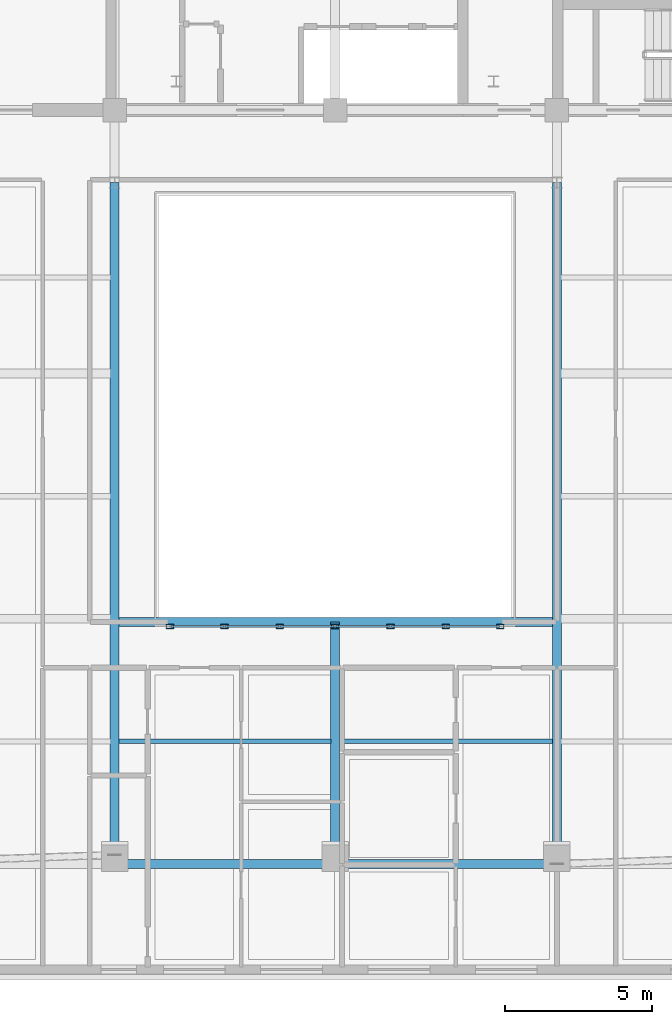
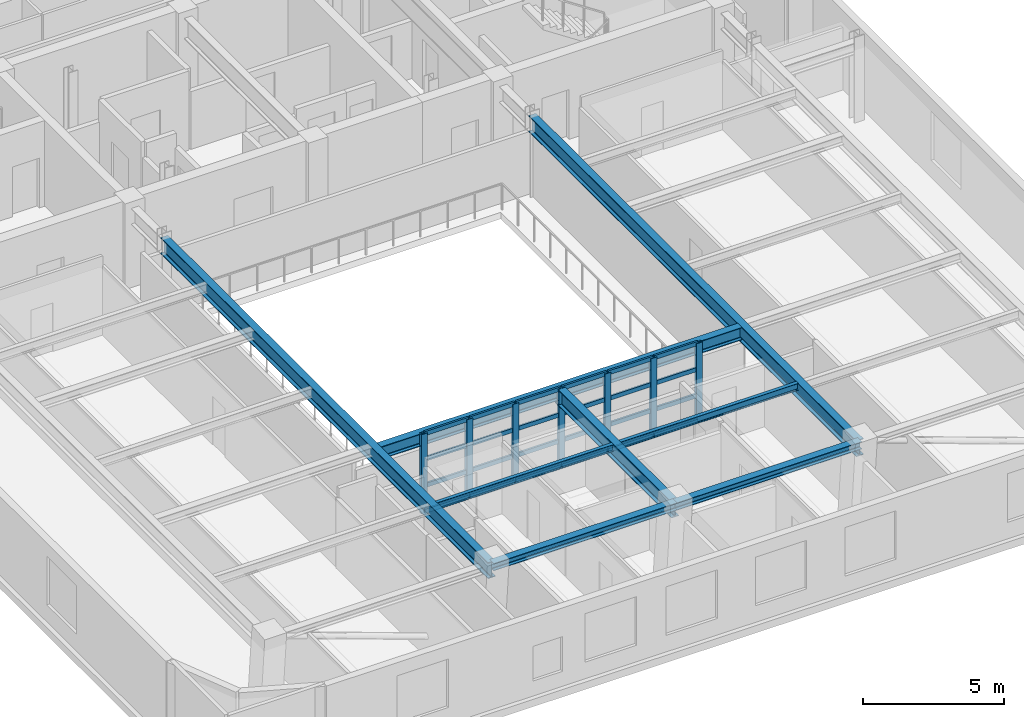
# One storey, part 2 of 11: 31 members, 8 beams, 1 element without a shape of its own.
"""IFC4 building model written with IfcOpenShell, lengths in metres."""

from ifc_helpers import new_model, si_unit, direction, frame, origin, origin_2d, place, context, subcontext, project, spatial, hollow_rectangle, i_section, extrude, material, layer, layer_set, material_profile, profile_set, type_object, element, aggregate, save


model = new_model("IFC4")

# Units and contexts
model_context = context("Model", 3, precision=1e-05, world=origin(), true_north=direction((0.0, 1.0)))
body_context = subcontext(model_context, "Body", "Model", "MODEL_VIEW")
ifc_project = project(units=[si_unit("LENGTHUNIT", "METRE"), si_unit("AREAUNIT", "SQUARE_METRE"), si_unit("VOLUMEUNIT", "CUBIC_METRE"), si_unit("PLANEANGLEUNIT", "RADIAN"), si_unit("MASSUNIT", "GRAM", prefix="KILO")], contexts=[model_context])

# Site, building, storey
site_placement = place(None, origin())
site = spatial("IfcSite", under=ifc_project, at=site_placement, CompositionType="ELEMENT")
building_placement = place(site_placement, origin())
building = spatial("IfcBuilding", under=site, at=building_placement, Name="Zarnavel Station Tower", CompositionType="ELEMENT")
storey_placement = place(building_placement, frame((0.0, 0.0, 262.10009765625)))
storey = spatial("IfcBuildingStorey", under=building, at=storey_placement, Name="L71", CompositionType="ELEMENT", Elevation=262.10009765625)

# Curtain wall, members
ifc_material_1 = material(Name="Aluminium Dark Anodised and Solar-Control Glass", Category="aluminium")
ifc_layer = layer(ifc_material_1, 0.179931640625)
ifc_layer_set = layer_set([ifc_layer], Name="CWS6")
curtain_wall_type = type_object("IfcCurtainWallType", Name="CWS6", PredefinedType="NOTDEFINED", material=ifc_layer_set)
curtain_wall_placement = place(storey_placement, origin())
curtain_wall = element("IfcCurtainWall", 1, at=curtain_wall_placement, inside=storey, type_object=curtain_wall_type, Name="L71 Curtain Wall CWS6-L71-AS", PredefinedType="NOTDEFINED")
ifc_material_2 = material(Name="Steel S355J2 (Black Fluoropolymer Coated)", Category="steel")
ifc_material_profile_1 = material_profile(ifc_material_2, hollow_rectangle(XDim=0.14990234375, YDim=0.25, WallThickness=0.010009765625, at=origin_2d()), Name="RHS250x150x10")
ifc_profile_set_1 = profile_set([ifc_material_profile_1], Name="Steel S355J2 (Black Fluoropolymer Coated)")
member_type_1 = type_object("IfcMemberType", Name="CWS6_MUL", PredefinedType="MULLION", material=ifc_profile_set_1)
member_1_placement = place(storey_placement, frame((23.179931640625, 10.25, 0.0), z_axis=(0.0, 0.0, 1.0), x_axis=(0.0, 1.0, 0.0)))
member_1 = element("IfcMember", 2, at=member_1_placement, type_object=member_type_1, Name="CW6 mullion 1", PredefinedType="MULLION", context=body_context, shape_type="SweptSolid", body=[
    extrude(hollow_rectangle(XDim=0.14990234375, YDim=0.25, WallThickness=0.010009765625, at=origin_2d()), origin(), (0.0, 0.0, 1.0), 3.419921875),
])
member_2_placement = place(storey_placement, frame((25.033447265625, 10.25, 0.0), z_axis=(0.0, 0.0, 1.0), x_axis=(0.0, 1.0, 0.0)))
member_2 = element("IfcMember", 3, at=member_2_placement, type_object=member_type_1, Name="CW6 mullion 2", PredefinedType="MULLION", context=body_context, shape_type="SweptSolid", body=[
    extrude(hollow_rectangle(XDim=0.14990234375, YDim=0.25, WallThickness=0.010009765625, at=origin_2d()), origin(), (0.0, 0.0, 1.0), 3.419921875),
])
member_3_placement = place(storey_placement, frame((26.916748046875, 10.25, 0.0), z_axis=(0.0, 0.0, 1.0), x_axis=(0.0, 1.0, 0.0)))
member_3 = element("IfcMember", 4, at=member_3_placement, type_object=member_type_1, Name="CW6 mullion 3", PredefinedType="MULLION", context=body_context, shape_type="SweptSolid", body=[
    extrude(hollow_rectangle(XDim=0.14990234375, YDim=0.25, WallThickness=0.010009765625, at=origin_2d()), origin(), (0.0, 0.0, 1.0), 3.419921875),
])
member_4_placement = place(storey_placement, frame((28.800048828125, 10.25, 0.0), z_axis=(0.0, 0.0, 1.0), x_axis=(0.0, 1.0, 0.0)))
member_4 = element("IfcMember", 5, at=member_4_placement, type_object=member_type_1, Name="CW6 mullion 4", PredefinedType="MULLION", context=body_context, shape_type="SweptSolid", body=[
    extrude(hollow_rectangle(XDim=0.14990234375, YDim=0.25, WallThickness=0.010009765625, at=origin_2d()), origin(), (0.0, 0.0, 1.0), 3.419921875),
])
member_5_placement = place(storey_placement, frame((30.683349609375, 10.25, 0.0), z_axis=(0.0, 0.0, 1.0), x_axis=(0.0, 1.0, 0.0)))
member_5 = element("IfcMember", 6, at=member_5_placement, type_object=member_type_1, Name="CW6 mullion 5", PredefinedType="MULLION", context=body_context, shape_type="SweptSolid", body=[
    extrude(hollow_rectangle(XDim=0.14990234375, YDim=0.25, WallThickness=0.010009765625, at=origin_2d()), origin(), (0.0, 0.0, 1.0), 3.419921875),
])
member_6_placement = place(storey_placement, frame((32.566650390625, 10.25, 0.0), z_axis=(0.0, 0.0, 1.0), x_axis=(0.0, 1.0, 0.0)))
member_6 = element("IfcMember", 7, at=member_6_placement, type_object=member_type_1, Name="CW6 mullion 6", PredefinedType="MULLION", context=body_context, shape_type="SweptSolid", body=[
    extrude(hollow_rectangle(XDim=0.14990234375, YDim=0.25, WallThickness=0.010009765625, at=origin_2d()), origin(), (0.0, 0.0, 1.0), 3.419921875),
])
member_7_placement = place(storey_placement, frame((34.419921875, 10.25, 0.0), z_axis=(0.0, 0.0, 1.0), x_axis=(0.0, 1.0, 0.0)))
member_7 = element("IfcMember", 8, at=member_7_placement, type_object=member_type_1, Name="CW6 mullion 7", PredefinedType="MULLION", context=body_context, shape_type="SweptSolid", body=[
    extrude(hollow_rectangle(XDim=0.14990234375, YDim=0.25, WallThickness=0.010009765625, at=origin_2d()), origin(), (0.0, 0.0, 1.0), 3.419921875),
])
ifc_material_3 = material(Name="Steel S355J2 (Black Fluoropolymer Coated)", Category="steel")
ifc_material_profile_2 = material_profile(ifc_material_3, hollow_rectangle(XDim=0.080078125, YDim=0.179931640625, WallThickness=0.00634765625, at=origin_2d()), Name="RHS180x80x6.3")
ifc_profile_set_2 = profile_set([ifc_material_profile_2], Name="Steel S355J2 (Black Fluoropolymer Coated)")
member_type_2 = type_object("IfcMemberType", Name="CWS6_TRN", PredefinedType="USERDEFINED", material=ifc_profile_set_2)
member_8_placement = place(storey_placement, frame((23.2099609375, 10.25, 0.02978515625), z_axis=(1.0, 0.0, 0.0), x_axis=(0.0, 1.0, 0.0)))
member_8 = element("IfcMember", 9, at=member_8_placement, type_object=member_type_2, Name="CW6 transom 1.1", ObjectType="TRANSOM", PredefinedType="USERDEFINED", context=body_context, shape_type="SweptSolid", body=[
    extrude(hollow_rectangle(XDim=0.080078125, YDim=0.179931640625, WallThickness=0.00634765625, at=origin_2d()), origin(), (0.0, 0.0, 1.0), 1.79345703125),
])
member_9_placement = place(storey_placement, frame((23.2099609375, 10.25, 1.139892578125), z_axis=(1.0, 0.0, 0.0), x_axis=(0.0, 1.0, 0.0)))
member_9 = element("IfcMember", 10, at=member_9_placement, type_object=member_type_2, Name="CW6 transom 1.2", ObjectType="TRANSOM", PredefinedType="USERDEFINED", context=body_context, shape_type="SweptSolid", body=[
    extrude(hollow_rectangle(XDim=0.080078125, YDim=0.179931640625, WallThickness=0.00634765625, at=origin_2d()), origin(), (0.0, 0.0, 1.0), 1.79345703125),
])
member_10_placement = place(storey_placement, frame((23.2099609375, 10.25, 2.27978515625), z_axis=(1.0, 0.0, 0.0), x_axis=(0.0, 1.0, 0.0)))
member_10 = element("IfcMember", 11, at=member_10_placement, type_object=member_type_2, Name="CW6 transom 1.3", ObjectType="TRANSOM", PredefinedType="USERDEFINED", context=body_context, shape_type="SweptSolid", body=[
    extrude(hollow_rectangle(XDim=0.080078125, YDim=0.179931640625, WallThickness=0.00634765625, at=origin_2d()), origin(), (0.0, 0.0, 1.0), 1.79345703125),
])
member_11_placement = place(storey_placement, frame((23.2099609375, 10.25, 3.389892578125), z_axis=(1.0, 0.0, 0.0), x_axis=(0.0, 1.0, 0.0)))
member_11 = element("IfcMember", 12, at=member_11_placement, type_object=member_type_2, Name="CW6 transom 1.4", ObjectType="TRANSOM", PredefinedType="USERDEFINED", context=body_context, shape_type="SweptSolid", body=[
    extrude(hollow_rectangle(XDim=0.080078125, YDim=0.179931640625, WallThickness=0.00634765625, at=origin_2d()), origin(), (0.0, 0.0, 1.0), 1.79345703125),
])
member_12_placement = place(storey_placement, frame((25.063232421875, 10.25, 0.02978515625), z_axis=(1.0, 0.0, 0.0), x_axis=(0.0, 1.0, 0.0)))
member_12 = element("IfcMember", 13, at=member_12_placement, type_object=member_type_2, Name="CW6 transom 2.1", ObjectType="TRANSOM", PredefinedType="USERDEFINED", context=body_context, shape_type="SweptSolid", body=[
    extrude(hollow_rectangle(XDim=0.080078125, YDim=0.179931640625, WallThickness=0.00634765625, at=origin_2d()), origin(), (0.0, 0.0, 1.0), 1.823486328125),
])
member_13_placement = place(storey_placement, frame((25.063232421875, 10.25, 1.139892578125), z_axis=(1.0, 0.0, 0.0), x_axis=(0.0, 1.0, 0.0)))
member_13 = element("IfcMember", 14, at=member_13_placement, type_object=member_type_2, Name="CW6 transom 2.2", ObjectType="TRANSOM", PredefinedType="USERDEFINED", context=body_context, shape_type="SweptSolid", body=[
    extrude(hollow_rectangle(XDim=0.080078125, YDim=0.179931640625, WallThickness=0.00634765625, at=origin_2d()), origin(), (0.0, 0.0, 1.0), 1.823486328125),
])
member_14_placement = place(storey_placement, frame((25.063232421875, 10.25, 2.27978515625), z_axis=(1.0, 0.0, 0.0), x_axis=(0.0, 1.0, 0.0)))
member_14 = element("IfcMember", 15, at=member_14_placement, type_object=member_type_2, Name="CW6 transom 2.3", ObjectType="TRANSOM", PredefinedType="USERDEFINED", context=body_context, shape_type="SweptSolid", body=[
    extrude(hollow_rectangle(XDim=0.080078125, YDim=0.179931640625, WallThickness=0.00634765625, at=origin_2d()), origin(), (0.0, 0.0, 1.0), 1.823486328125),
])
member_15_placement = place(storey_placement, frame((25.063232421875, 10.25, 3.389892578125), z_axis=(1.0, 0.0, 0.0), x_axis=(0.0, 1.0, 0.0)))
member_15 = element("IfcMember", 16, at=member_15_placement, type_object=member_type_2, Name="CW6 transom 2.4", ObjectType="TRANSOM", PredefinedType="USERDEFINED", context=body_context, shape_type="SweptSolid", body=[
    extrude(hollow_rectangle(XDim=0.080078125, YDim=0.179931640625, WallThickness=0.00634765625, at=origin_2d()), origin(), (0.0, 0.0, 1.0), 1.823486328125),
])
member_16_placement = place(storey_placement, frame((26.94677734375, 10.25, 0.02978515625), z_axis=(1.0, 0.0, 0.0), x_axis=(0.0, 1.0, 0.0)))
member_16 = element("IfcMember", 17, at=member_16_placement, type_object=member_type_2, Name="CW6 transom 3.1", ObjectType="TRANSOM", PredefinedType="USERDEFINED", context=body_context, shape_type="SweptSolid", body=[
    extrude(hollow_rectangle(XDim=0.080078125, YDim=0.179931640625, WallThickness=0.00634765625, at=origin_2d()), origin(), (0.0, 0.0, 1.0), 1.8232421875),
])
member_17_placement = place(storey_placement, frame((26.94677734375, 10.25, 1.139892578125), z_axis=(1.0, 0.0, 0.0), x_axis=(0.0, 1.0, 0.0)))
member_17 = element("IfcMember", 18, at=member_17_placement, type_object=member_type_2, Name="CW6 transom 3.2", ObjectType="TRANSOM", PredefinedType="USERDEFINED", context=body_context, shape_type="SweptSolid", body=[
    extrude(hollow_rectangle(XDim=0.080078125, YDim=0.179931640625, WallThickness=0.00634765625, at=origin_2d()), origin(), (0.0, 0.0, 1.0), 1.8232421875),
])
member_18_placement = place(storey_placement, frame((26.94677734375, 10.25, 2.27978515625), z_axis=(1.0, 0.0, 0.0), x_axis=(0.0, 1.0, 0.0)))
member_18 = element("IfcMember", 19, at=member_18_placement, type_object=member_type_2, Name="CW6 transom 3.3", ObjectType="TRANSOM", PredefinedType="USERDEFINED", context=body_context, shape_type="SweptSolid", body=[
    extrude(hollow_rectangle(XDim=0.080078125, YDim=0.179931640625, WallThickness=0.00634765625, at=origin_2d()), origin(), (0.0, 0.0, 1.0), 1.8232421875),
])
member_19_placement = place(storey_placement, frame((26.94677734375, 10.25, 3.389892578125), z_axis=(1.0, 0.0, 0.0), x_axis=(0.0, 1.0, 0.0)))
member_19 = element("IfcMember", 20, at=member_19_placement, type_object=member_type_2, Name="CW6 transom 3.4", ObjectType="TRANSOM", PredefinedType="USERDEFINED", context=body_context, shape_type="SweptSolid", body=[
    extrude(hollow_rectangle(XDim=0.080078125, YDim=0.179931640625, WallThickness=0.00634765625, at=origin_2d()), origin(), (0.0, 0.0, 1.0), 1.8232421875),
])
member_20_placement = place(storey_placement, frame((28.830078125, 10.25, 0.02978515625), z_axis=(1.0, 0.0, 0.0), x_axis=(0.0, 1.0, 0.0)))
member_20 = element("IfcMember", 21, at=member_20_placement, type_object=member_type_2, Name="CW6 transom 4.1", ObjectType="TRANSOM", PredefinedType="USERDEFINED", context=body_context, shape_type="SweptSolid", body=[
    extrude(hollow_rectangle(XDim=0.080078125, YDim=0.179931640625, WallThickness=0.00634765625, at=origin_2d()), origin(), (0.0, 0.0, 1.0), 1.8232421875),
])
member_21_placement = place(storey_placement, frame((28.830078125, 10.25, 1.139892578125), z_axis=(1.0, 0.0, 0.0), x_axis=(0.0, 1.0, 0.0)))
member_21 = element("IfcMember", 22, at=member_21_placement, type_object=member_type_2, Name="CW6 transom 4.2", ObjectType="TRANSOM", PredefinedType="USERDEFINED", context=body_context, shape_type="SweptSolid", body=[
    extrude(hollow_rectangle(XDim=0.080078125, YDim=0.179931640625, WallThickness=0.00634765625, at=origin_2d()), origin(), (0.0, 0.0, 1.0), 1.8232421875),
])
member_22_placement = place(storey_placement, frame((28.830078125, 10.25, 2.27978515625), z_axis=(1.0, 0.0, 0.0), x_axis=(0.0, 1.0, 0.0)))
member_22 = element("IfcMember", 23, at=member_22_placement, type_object=member_type_2, Name="CW6 transom 4.3", ObjectType="TRANSOM", PredefinedType="USERDEFINED", context=body_context, shape_type="SweptSolid", body=[
    extrude(hollow_rectangle(XDim=0.080078125, YDim=0.179931640625, WallThickness=0.00634765625, at=origin_2d()), origin(), (0.0, 0.0, 1.0), 1.8232421875),
])
member_23_placement = place(storey_placement, frame((28.830078125, 10.25, 3.389892578125), z_axis=(1.0, 0.0, 0.0), x_axis=(0.0, 1.0, 0.0)))
member_23 = element("IfcMember", 24, at=member_23_placement, type_object=member_type_2, Name="CW6 transom 4.4", ObjectType="TRANSOM", PredefinedType="USERDEFINED", context=body_context, shape_type="SweptSolid", body=[
    extrude(hollow_rectangle(XDim=0.080078125, YDim=0.179931640625, WallThickness=0.00634765625, at=origin_2d()), origin(), (0.0, 0.0, 1.0), 1.8232421875),
])
member_24_placement = place(storey_placement, frame((30.71337890625, 10.25, 0.02978515625), z_axis=(1.0, 0.0, 0.0), x_axis=(0.0, 1.0, 0.0)))
member_24 = element("IfcMember", 25, at=member_24_placement, type_object=member_type_2, Name="CW6 transom 5.1", ObjectType="TRANSOM", PredefinedType="USERDEFINED", context=body_context, shape_type="SweptSolid", body=[
    extrude(hollow_rectangle(XDim=0.080078125, YDim=0.179931640625, WallThickness=0.00634765625, at=origin_2d()), origin(), (0.0, 0.0, 1.0), 1.8232421875),
])
member_25_placement = place(storey_placement, frame((30.71337890625, 10.25, 1.139892578125), z_axis=(1.0, 0.0, 0.0), x_axis=(0.0, 1.0, 0.0)))
member_25 = element("IfcMember", 26, at=member_25_placement, type_object=member_type_2, Name="CW6 transom 5.2", ObjectType="TRANSOM", PredefinedType="USERDEFINED", context=body_context, shape_type="SweptSolid", body=[
    extrude(hollow_rectangle(XDim=0.080078125, YDim=0.179931640625, WallThickness=0.00634765625, at=origin_2d()), origin(), (0.0, 0.0, 1.0), 1.8232421875),
])
member_26_placement = place(storey_placement, frame((30.71337890625, 10.25, 2.27978515625), z_axis=(1.0, 0.0, 0.0), x_axis=(0.0, 1.0, 0.0)))
member_26 = element("IfcMember", 27, at=member_26_placement, type_object=member_type_2, Name="CW6 transom 5.3", ObjectType="TRANSOM", PredefinedType="USERDEFINED", context=body_context, shape_type="SweptSolid", body=[
    extrude(hollow_rectangle(XDim=0.080078125, YDim=0.179931640625, WallThickness=0.00634765625, at=origin_2d()), origin(), (0.0, 0.0, 1.0), 1.8232421875),
])
member_27_placement = place(storey_placement, frame((30.71337890625, 10.25, 3.389892578125), z_axis=(1.0, 0.0, 0.0), x_axis=(0.0, 1.0, 0.0)))
member_27 = element("IfcMember", 28, at=member_27_placement, type_object=member_type_2, Name="CW6 transom 5.4", ObjectType="TRANSOM", PredefinedType="USERDEFINED", context=body_context, shape_type="SweptSolid", body=[
    extrude(hollow_rectangle(XDim=0.080078125, YDim=0.179931640625, WallThickness=0.00634765625, at=origin_2d()), origin(), (0.0, 0.0, 1.0), 1.8232421875),
])
member_28_placement = place(storey_placement, frame((32.5966796875, 10.25, 0.02978515625), z_axis=(1.0, 0.0, 0.0), x_axis=(0.0, 1.0, 0.0)))
member_28 = element("IfcMember", 29, at=member_28_placement, type_object=member_type_2, Name="CW6 transom 6.1", ObjectType="TRANSOM", PredefinedType="USERDEFINED", context=body_context, shape_type="SweptSolid", body=[
    extrude(hollow_rectangle(XDim=0.080078125, YDim=0.179931640625, WallThickness=0.00634765625, at=origin_2d()), origin(), (0.0, 0.0, 1.0), 1.793212890625),
])
member_29_placement = place(storey_placement, frame((32.5966796875, 10.25, 1.139892578125), z_axis=(1.0, 0.0, 0.0), x_axis=(0.0, 1.0, 0.0)))
member_29 = element("IfcMember", 30, at=member_29_placement, type_object=member_type_2, Name="CW6 transom 6.2", ObjectType="TRANSOM", PredefinedType="USERDEFINED", context=body_context, shape_type="SweptSolid", body=[
    extrude(hollow_rectangle(XDim=0.080078125, YDim=0.179931640625, WallThickness=0.00634765625, at=origin_2d()), origin(), (0.0, 0.0, 1.0), 1.793212890625),
])
member_30_placement = place(storey_placement, frame((32.5966796875, 10.25, 2.27978515625), z_axis=(1.0, 0.0, 0.0), x_axis=(0.0, 1.0, 0.0)))
member_30 = element("IfcMember", 31, at=member_30_placement, type_object=member_type_2, Name="CW6 transom 6.3", ObjectType="TRANSOM", PredefinedType="USERDEFINED", context=body_context, shape_type="SweptSolid", body=[
    extrude(hollow_rectangle(XDim=0.080078125, YDim=0.179931640625, WallThickness=0.00634765625, at=origin_2d()), origin(), (0.0, 0.0, 1.0), 1.793212890625),
])
member_31_placement = place(storey_placement, frame((32.5966796875, 10.25, 3.389892578125), z_axis=(1.0, 0.0, 0.0), x_axis=(0.0, 1.0, 0.0)))
member_31 = element("IfcMember", 32, at=member_31_placement, type_object=member_type_2, Name="CW6 transom 6.4", ObjectType="TRANSOM", PredefinedType="USERDEFINED", context=body_context, shape_type="SweptSolid", body=[
    extrude(hollow_rectangle(XDim=0.080078125, YDim=0.179931640625, WallThickness=0.00634765625, at=origin_2d()), origin(), (0.0, 0.0, 1.0), 1.793212890625),
])
aggregate(curtain_wall, [member_1, member_2, member_3, member_4, member_5, member_6, member_7, member_8, member_9, member_10, member_11, member_12, member_13, member_14, member_15, member_16, member_17, member_18, member_19, member_20, member_21, member_22, member_23, member_24, member_25, member_26, member_27, member_28, member_29, member_30, member_31])

# Beams
ifc_material_4 = material(Name="Steel S355J2", Category="steel")
ifc_material_profile_3 = material_profile(ifc_material_4, i_section(OverallWidth=0.300048828125, OverallDepth=0.320068359375, WebThickness=0.011474609375, FlangeThickness=0.0205078125, FilletRadius=0.027099609375, at=origin_2d()), Name="HEB320")
ifc_profile_set_3 = profile_set([ifc_material_profile_3], Name="Steel S355J2")
beam_type_1 = type_object("IfcBeamType", Name="EB_HEB320", PredefinedType="SPANDREL", material=ifc_profile_set_3)
beam_1_placement = place(storey_placement, frame((21.300048828125, 2.16650390625, 3.260009765625), z_axis=(1.0, 0.0, 0.0), x_axis=(0.0, 1.0, 0.0)))
element("IfcBeam", 33, at=beam_1_placement, inside=storey, type_object=beam_type_1, Name="L71 South Raked Spandrel 2", PredefinedType="SPANDREL", context=body_context, shape_type="SweptSolid", body=[
    extrude(i_section(OverallWidth=0.300048828125, OverallDepth=0.320068359375, WebThickness=0.011474609375, FlangeThickness=0.0205078125, FilletRadius=0.027099609375, at=origin_2d()), origin(), (0.0, 0.0, 1.0), 7.5),
])
beam_2_placement = place(storey_placement, frame((28.800048828125, 2.16650390625, 3.260009765625), z_axis=(1.0, 0.0, 0.0), x_axis=(0.0, 1.0, 0.0)))
element("IfcBeam", 34, at=beam_2_placement, inside=storey, type_object=beam_type_1, Name="L71 South Raked Spandrel 3", PredefinedType="SPANDREL", context=body_context, shape_type="SweptSolid", body=[
    extrude(i_section(OverallWidth=0.300048828125, OverallDepth=0.320068359375, WebThickness=0.011474609375, FlangeThickness=0.0205078125, FilletRadius=0.027099609375, at=origin_2d()), origin(), (0.0, 0.0, 1.0), 7.550048828125),
])
ifc_material_5 = material(Name="Steel S355J2", Category="steel")
ifc_material_profile_4 = material_profile(ifc_material_5, i_section(OverallWidth=0.300048828125, OverallDepth=0.5400390625, WebThickness=0.012451171875, FlangeThickness=0.02392578125, FilletRadius=0.027099609375, at=origin_2d()), Name="HEA550")
ifc_profile_set_4 = profile_set([ifc_material_profile_4], Name="Steel S355J2")
beam_type_2 = type_object("IfcBeamType", Name="FB_HEA550", PredefinedType="BEAM", material=ifc_profile_set_4)
beam_3_placement = place(storey_placement, frame((21.445068359375, 10.39990234375, 3.14990234375), z_axis=(1.0, 0.0, 0.0), x_axis=(0.0, 1.0, 0.0)))
element("IfcBeam", 35, at=beam_3_placement, inside=storey, type_object=beam_type_2, Name="L71 Atrium South Edge Girder", PredefinedType="BEAM", context=body_context, shape_type="SweptSolid", body=[
    extrude(i_section(OverallWidth=0.300048828125, OverallDepth=0.5400390625, WebThickness=0.012451171875, FlangeThickness=0.02392578125, FilletRadius=0.027099609375, at=origin_2d()), origin(), (0.0, 0.0, 1.0), 14.760009765625),
])
ifc_material_6 = material(Name="Steel S355J2", Category="steel")
ifc_material_profile_5 = material_profile(ifc_material_6, i_section(OverallWidth=0.300048828125, OverallDepth=0.699951171875, WebThickness=0.01708984375, FlangeThickness=0.031982421875, FilletRadius=0.027099609375, at=origin_2d()), Name="HEB700")
ifc_profile_set_5 = profile_set([ifc_material_profile_5], Name="Steel S355J2")
beam_type_3 = type_object("IfcBeamType", Name="FG_HEB700", PredefinedType="USERDEFINED", material=ifc_profile_set_5)
beam_4_placement = place(storey_placement, frame((21.300048828125, 2.16650390625, 3.06982421875), z_axis=(0.0, 1.0, 0.0), x_axis=(-1.0, 0.0, 0.0)))
element("IfcBeam", 36, at=beam_4_placement, inside=storey, type_object=beam_type_3, Name="L71 South-Zone NS Girder 2", ObjectType="GIRDER", PredefinedType="USERDEFINED", context=body_context, shape_type="SweptSolid", body=[
    extrude(i_section(OverallWidth=0.300048828125, OverallDepth=0.699951171875, WebThickness=0.01708984375, FlangeThickness=0.031982421875, FilletRadius=0.027099609375, at=origin_2d()), origin(), (0.0, 0.0, 1.0), 23.18359375),
])
beam_5_placement = place(storey_placement, frame((28.800048828125, 2.16650390625, 3.06982421875), z_axis=(0.0, 1.0, 0.0), x_axis=(-1.0, 0.0, 0.0)))
element("IfcBeam", 37, at=beam_5_placement, inside=storey, type_object=beam_type_3, Name="L71 Central Atrium-South Girder", ObjectType="GIRDER", PredefinedType="USERDEFINED", context=body_context, shape_type="SweptSolid", body=[
    extrude(i_section(OverallWidth=0.300048828125, OverallDepth=0.699951171875, WebThickness=0.01708984375, FlangeThickness=0.031982421875, FilletRadius=0.027099609375, at=origin_2d()), origin(), (0.0, 0.0, 1.0), 8.2333984375),
])
beam_6_placement = place(storey_placement, frame((36.35009765625, 2.16650390625, 3.06982421875), z_axis=(0.0, 1.0, 0.0), x_axis=(-1.0, 0.0, 0.0)))
element("IfcBeam", 38, at=beam_6_placement, inside=storey, type_object=beam_type_3, Name="L71 South-Zone NS Girder 4", ObjectType="GIRDER", PredefinedType="USERDEFINED", context=body_context, shape_type="SweptSolid", body=[
    extrude(i_section(OverallWidth=0.300048828125, OverallDepth=0.699951171875, WebThickness=0.01708984375, FlangeThickness=0.031982421875, FilletRadius=0.027099609375, at=origin_2d()), origin(), (0.0, 0.0, 1.0), 23.18359375),
])
ifc_material_7 = material(Name="Steel S355J2", Category="steel")
ifc_material_profile_6 = material_profile(ifc_material_7, i_section(OverallWidth=0.14990234375, OverallDepth=0.300048828125, WebThickness=0.007080078125, FlangeThickness=0.0107421875, FilletRadius=0.014892578125, at=origin_2d()), Name="IPE300")
ifc_profile_set_6 = profile_set([ifc_material_profile_6], Name="Steel S355J2")
beam_type_4 = type_object("IfcBeamType", Name="FJ_IPE300", PredefinedType="JOIST", material=ifc_profile_set_6)
beam_7_placement = place(storey_placement, frame((21.445068359375, 6.3388671875, 3.27001953125), z_axis=(1.0, 0.0, 0.0), x_axis=(0.0, 1.0, 0.0)))
element("IfcBeam", 39, at=beam_7_placement, inside=storey, type_object=beam_type_4, Name="L71 Mid-West Joist 1", PredefinedType="JOIST", context=body_context, shape_type="SweptSolid", body=[
    extrude(i_section(OverallWidth=0.14990234375, OverallDepth=0.300048828125, WebThickness=0.007080078125, FlangeThickness=0.0107421875, FilletRadius=0.014892578125, at=origin_2d()), origin(), (0.0, 0.0, 1.0), 7.2099609375),
])
beam_8_placement = place(storey_placement, frame((28.945068359375, 6.3388671875, 3.27001953125), z_axis=(1.0, 0.0, 0.0), x_axis=(0.0, 1.0, 0.0)))
element("IfcBeam", 40, at=beam_8_placement, inside=storey, type_object=beam_type_4, Name="L71 Mid-East Joist 1", PredefinedType="JOIST", context=body_context, shape_type="SweptSolid", body=[
    extrude(i_section(OverallWidth=0.14990234375, OverallDepth=0.300048828125, WebThickness=0.007080078125, FlangeThickness=0.0107421875, FilletRadius=0.014892578125, at=origin_2d()), origin(), (0.0, 0.0, 1.0), 7.260009765625),
])

save(model, "model.ifc")
